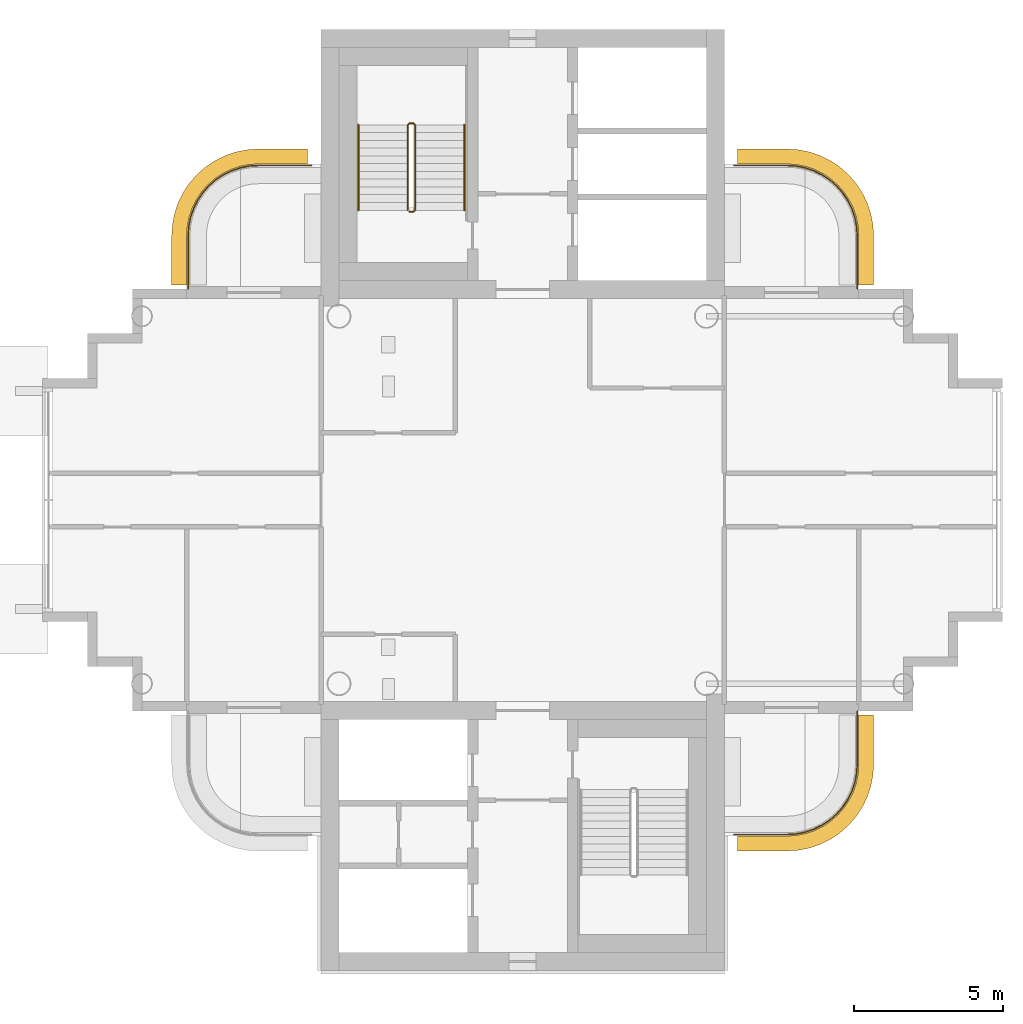
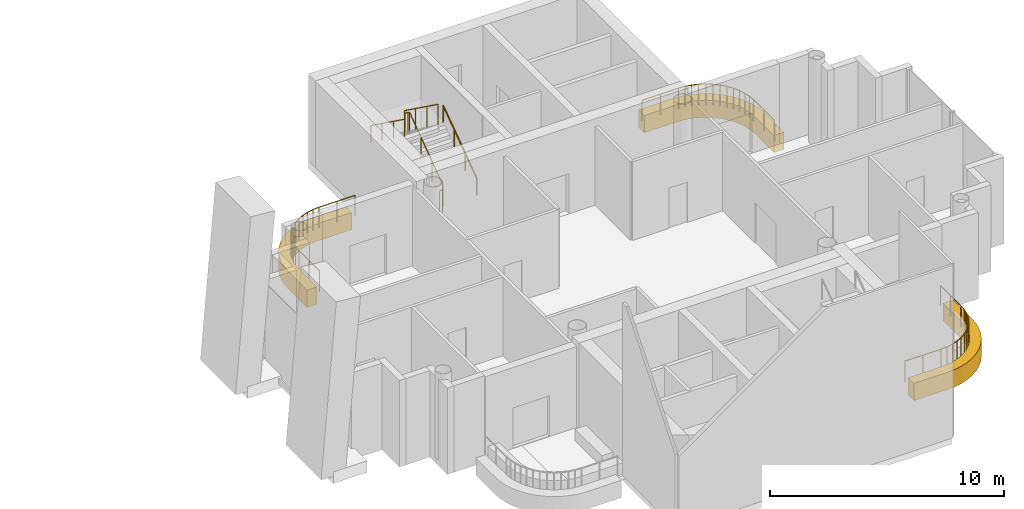
# One storey, part 18 of 19: 6 railings, 3 coverings.
"""IFC4 building model written with IfcOpenShell, lengths in metres."""

from ifc_helpers import new_model, si_unit, direction, frame, origin, origin_2d, place, context, subcontext, project, spatial, polyline, circle, outline, extrude, material, layer, layer_set, type_object, element, save


model = new_model("IFC4")

# Units and contexts
model_context = context("Model", 3, precision=1e-05, world=origin(), true_north=direction((0.0, 1.0)))
body_context = subcontext(model_context, "Body", "Model", "MODEL_VIEW")
ifc_project = project(units=[si_unit("LENGTHUNIT", "METRE"), si_unit("AREAUNIT", "SQUARE_METRE"), si_unit("VOLUMEUNIT", "CUBIC_METRE"), si_unit("PLANEANGLEUNIT", "RADIAN"), si_unit("MASSUNIT", "GRAM", prefix="KILO")], contexts=[model_context])

# Site, building, storey
site_placement = place(None, origin())
site = spatial("IfcSite", under=ifc_project, at=site_placement, CompositionType="ELEMENT")
building_placement = place(site_placement, origin())
building = spatial("IfcBuilding", under=site, at=building_placement, Name="Ipe Terrace Towers", CompositionType="ELEMENT")
storey_placement = place(building_placement, frame((0.0, 0.0, 237.89990234375)))
storey = spatial("IfcBuildingStorey", under=building, at=storey_placement, Name="L66", CompositionType="ELEMENT", Elevation=237.89990234375)

# Railings
ifc_material_1 = material(Name="Stainless steel S316", Category="steel")
railing_type_1 = type_object("IfcRailingType", Name="GUARD 1100", PredefinedType="BALUSTRADE", material=ifc_material_1)
railing_1_placement = place(storey_placement, frame((28.929931640625, 11.199951171875, -0.02001953125)))
element("IfcRailing", 1, at=railing_1_placement, inside=storey, type_object=railing_type_1, Name="guard", PredefinedType="BALUSTRADE", context=body_context, shape_type="SweptSolid", body=[
    extrude(circle(Radius=0.02392578125, at=origin_2d()), frame((0.0, 0.0, 1.076171875), z_axis=(-1.0, 0.0, 0.0), x_axis=(0.0, -1.0, 0.0)), (0.0, 0.0, 1.0), 1.77783203125),
    extrude(circle(Radius=0.02392578125, at=origin_2d()), frame((-1.77783203125, 0.0, 1.076171875), z_axis=(-0.99790894031, -0.064635492184, 0.0), x_axis=(0.064635492184, -0.99790894031, 0.0)), (0.0, 0.0, 1.0), 0.309814453125),
    extrude(circle(Radius=0.02392578125, at=origin_2d()), frame((-2.0869140625, -0.02001953125, 1.076171875), z_axis=(-0.980824674538, -0.194892169718, 0.0), x_axis=(0.194892169718, -0.980824674538, 0.0)), (0.0, 0.0, 1.0), 0.306884765625),
    extrude(circle(Radius=0.02392578125, at=origin_2d()), frame((-2.387939453125, -0.079833984375, 1.076171875), z_axis=(-0.946598348228, -0.322415209212, 0.0), x_axis=(0.322415209212, -0.946598348228, 0.0)), (0.0, 0.0, 1.0), 0.307373046875),
    extrude(circle(Radius=0.02392578125, at=origin_2d()), frame((-2.678955078125, -0.178955078125, 1.076171875), z_axis=(-0.896952807524, -0.44212629539, 0.0), x_axis=(0.44212629539, -0.896952807524, 0.0)), (0.0, 0.0, 1.0), 0.3076171875),
    extrude(circle(Radius=0.02392578125, at=origin_2d()), frame((-2.954833984375, -0.31494140625, 1.076171875), z_axis=(-0.831806228742, -0.555066120228, 0.0), x_axis=(0.555066120228, -0.831806228742, 0.0)), (0.0, 0.0, 1.0), 0.307861328125),
    extrude(circle(Radius=0.02392578125, at=origin_2d()), frame((-3.2109375, -0.48583984375, 1.076171875), z_axis=(-0.752478137252, -0.658617227954, 0.0), x_axis=(0.658617227954, -0.752478137252, 0.0)), (0.0, 0.0, 1.0), 0.306884765625),
    extrude(circle(Radius=0.02392578125, at=origin_2d()), frame((-3.44189453125, -0.68798828125, 1.076171875), z_axis=(-0.658617227954, -0.752478137252, 0.0), x_axis=(0.752478137252, -0.658617227954, 0.0)), (0.0, 0.0, 1.0), 0.306884765625),
    extrude(circle(Radius=0.02392578125, at=origin_2d()), frame((-3.64404296875, -0.9189453125, 1.076171875), z_axis=(-0.555066120228, -0.831806228742, 0.0), x_axis=(0.831806228742, -0.555066120228, 0.0)), (0.0, 0.0, 1.0), 0.307861328125),
    extrude(circle(Radius=0.02392578125, at=origin_2d()), frame((-3.81494140625, -1.175048828125, 1.076171875), z_axis=(-0.44212629539, -0.896952807524, 0.0), x_axis=(0.896952807524, -0.44212629539, 0.0)), (0.0, 0.0, 1.0), 0.3076171875),
    extrude(circle(Radius=0.02392578125, at=origin_2d()), frame((-3.950927734375, -1.450927734375, 1.076171875), z_axis=(-0.322415209212, -0.946598348228, 0.0), x_axis=(0.946598348228, -0.322415209212, 0.0)), (0.0, 0.0, 1.0), 0.307373046875),
    extrude(circle(Radius=0.02392578125, at=origin_2d()), frame((-4.050048828125, -1.741943359375, 1.076171875), z_axis=(-0.194892169718, -0.980824674538, 0.0), x_axis=(0.980824674538, -0.194892169718, 0.0)), (0.0, 0.0, 1.0), 0.306884765625),
    extrude(circle(Radius=0.02392578125, at=origin_2d()), frame((-4.10986328125, -2.04296875, 1.076171875), z_axis=(-0.064635492184, -0.99790894031, 0.0), x_axis=(0.99790894031, -0.064635492184, 0.0)), (0.0, 0.0, 1.0), 0.309814453125),
    extrude(circle(Radius=0.02392578125, at=origin_2d()), frame((-4.1298828125, -2.35205078125, 1.076171875), z_axis=(0.0, -1.0, 0.0), x_axis=(1.0, 0.0, 0.0)), (0.0, 0.0, 1.0), 1.77783203125),
    extrude(circle(Radius=0.02099609375, at=origin_2d()), origin(), (0.0, 0.0, 1.0), 1.052001953125),
    extrude(circle(Radius=0.02099609375, at=origin_2d()), frame((-0.888916015625, 0.0, 0.0)), (0.0, 0.0, 1.0), 1.052001953125),
    extrude(circle(Radius=0.02099609375, at=origin_2d()), frame((-1.77783203125, 0.0, 0.0)), (0.0, 0.0, 1.0), 1.052001953125),
    extrude(circle(Radius=0.02099609375, at=origin_2d()), frame((-2.0869140625, -0.02001953125, 0.0)), (0.0, 0.0, 1.0), 1.052001953125),
    extrude(circle(Radius=0.02099609375, at=origin_2d()), frame((-2.387939453125, -0.079833984375, 0.0)), (0.0, 0.0, 1.0), 1.052001953125),
    extrude(circle(Radius=0.02099609375, at=origin_2d()), frame((-2.678955078125, -0.178955078125, 0.0)), (0.0, 0.0, 1.0), 1.052001953125),
    extrude(circle(Radius=0.02099609375, at=origin_2d()), frame((-2.954833984375, -0.31494140625, 0.0)), (0.0, 0.0, 1.0), 1.052001953125),
    extrude(circle(Radius=0.02099609375, at=origin_2d()), frame((-3.2109375, -0.48583984375, 0.0)), (0.0, 0.0, 1.0), 1.052001953125),
    extrude(circle(Radius=0.02099609375, at=origin_2d()), frame((-3.44189453125, -0.68798828125, 0.0)), (0.0, 0.0, 1.0), 1.052001953125),
    extrude(circle(Radius=0.02099609375, at=origin_2d()), frame((-3.64404296875, -0.9189453125, 0.0)), (0.0, 0.0, 1.0), 1.052001953125),
    extrude(circle(Radius=0.02099609375, at=origin_2d()), frame((-3.81494140625, -1.175048828125, 0.0)), (0.0, 0.0, 1.0), 1.052001953125),
    extrude(circle(Radius=0.02099609375, at=origin_2d()), frame((-3.950927734375, -1.450927734375, 0.0)), (0.0, 0.0, 1.0), 1.052001953125),
    extrude(circle(Radius=0.02099609375, at=origin_2d()), frame((-4.050048828125, -1.741943359375, 0.0)), (0.0, 0.0, 1.0), 1.052001953125),
    extrude(circle(Radius=0.02099609375, at=origin_2d()), frame((-4.10986328125, -2.04296875, 0.0)), (0.0, 0.0, 1.0), 1.052001953125),
    extrude(circle(Radius=0.02099609375, at=origin_2d()), frame((-4.1298828125, -2.35205078125, 0.0)), (0.0, 0.0, 1.0), 1.052001953125),
    extrude(circle(Radius=0.02099609375, at=origin_2d()), frame((-4.1298828125, -3.240966796875, 0.0)), (0.0, 0.0, 1.0), 1.052001953125),
    extrude(circle(Radius=0.02099609375, at=origin_2d()), frame((-4.1298828125, -4.1298828125, 0.0)), (0.0, 0.0, 1.0), 1.052001953125),
])
railing_2_placement = place(storey_placement, frame((43.070068359375, -11.199951171875, -0.02001953125)))
element("IfcRailing", 2, at=railing_2_placement, inside=storey, type_object=railing_type_1, Name="guard", PredefinedType="BALUSTRADE", context=body_context, shape_type="SweptSolid", body=[
    extrude(circle(Radius=0.02392578125, at=origin_2d()), frame((0.0, 0.0, 1.076171875), z_axis=(1.0, 0.0, 0.0), x_axis=(0.0, 1.0, 0.0)), (0.0, 0.0, 1.0), 1.77783203125),
    extrude(circle(Radius=0.02392578125, at=origin_2d()), frame((1.77783203125, 0.0, 1.076171875), z_axis=(0.99790894031, 0.064635492184, 0.0), x_axis=(-0.064635492184, 0.99790894031, 0.0)), (0.0, 0.0, 1.0), 0.309814453125),
    extrude(circle(Radius=0.02392578125, at=origin_2d()), frame((2.0869140625, 0.02001953125, 1.076171875), z_axis=(0.980824674538, 0.194892169718, 0.0), x_axis=(-0.194892169718, 0.980824674538, 0.0)), (0.0, 0.0, 1.0), 0.306884765625),
    extrude(circle(Radius=0.02392578125, at=origin_2d()), frame((2.387939453125, 0.079833984375, 1.076171875), z_axis=(0.946598348228, 0.322415209212, 0.0), x_axis=(-0.322415209212, 0.946598348228, 0.0)), (0.0, 0.0, 1.0), 0.307373046875),
    extrude(circle(Radius=0.02392578125, at=origin_2d()), frame((2.678955078125, 0.178955078125, 1.076171875), z_axis=(0.896952807524, 0.44212629539, 0.0), x_axis=(-0.44212629539, 0.896952807524, 0.0)), (0.0, 0.0, 1.0), 0.3076171875),
    extrude(circle(Radius=0.02392578125, at=origin_2d()), frame((2.954833984375, 0.31494140625, 1.076171875), z_axis=(0.831806228742, 0.555066120228, 0.0), x_axis=(-0.555066120228, 0.831806228742, 0.0)), (0.0, 0.0, 1.0), 0.307861328125),
    extrude(circle(Radius=0.02392578125, at=origin_2d()), frame((3.2109375, 0.48583984375, 1.076171875), z_axis=(0.752478137252, 0.658617227954, 0.0), x_axis=(-0.658617227954, 0.752478137252, 0.0)), (0.0, 0.0, 1.0), 0.306884765625),
    extrude(circle(Radius=0.02392578125, at=origin_2d()), frame((3.44189453125, 0.68798828125, 1.076171875), z_axis=(0.658617227954, 0.752478137252, 0.0), x_axis=(-0.752478137252, 0.658617227954, 0.0)), (0.0, 0.0, 1.0), 0.306884765625),
    extrude(circle(Radius=0.02392578125, at=origin_2d()), frame((3.64404296875, 0.9189453125, 1.076171875), z_axis=(0.555066120228, 0.831806228742, 0.0), x_axis=(-0.831806228742, 0.555066120228, 0.0)), (0.0, 0.0, 1.0), 0.307861328125),
    extrude(circle(Radius=0.02392578125, at=origin_2d()), frame((3.81494140625, 1.175048828125, 1.076171875), z_axis=(0.44212629539, 0.896952807524, 0.0), x_axis=(-0.896952807524, 0.44212629539, 0.0)), (0.0, 0.0, 1.0), 0.3076171875),
    extrude(circle(Radius=0.02392578125, at=origin_2d()), frame((3.950927734375, 1.450927734375, 1.076171875), z_axis=(0.322415209212, 0.946598348228, 0.0), x_axis=(-0.946598348228, 0.322415209212, 0.0)), (0.0, 0.0, 1.0), 0.307373046875),
    extrude(circle(Radius=0.02392578125, at=origin_2d()), frame((4.050048828125, 1.741943359375, 1.076171875), z_axis=(0.194892169718, 0.980824674538, 0.0), x_axis=(-0.980824674538, 0.194892169718, 0.0)), (0.0, 0.0, 1.0), 0.306884765625),
    extrude(circle(Radius=0.02392578125, at=origin_2d()), frame((4.10986328125, 2.04296875, 1.076171875), z_axis=(0.064635492184, 0.99790894031, 0.0), x_axis=(-0.99790894031, 0.064635492184, 0.0)), (0.0, 0.0, 1.0), 0.309814453125),
    extrude(circle(Radius=0.02392578125, at=origin_2d()), frame((4.1298828125, 2.35205078125, 1.076171875), z_axis=(0.0, 1.0, 0.0), x_axis=(-1.0, 0.0, 0.0)), (0.0, 0.0, 1.0), 1.77783203125),
    extrude(circle(Radius=0.02099609375, at=origin_2d()), origin(), (0.0, 0.0, 1.0), 1.052001953125),
    extrude(circle(Radius=0.02099609375, at=origin_2d()), frame((0.888916015625, 0.0, 0.0)), (0.0, 0.0, 1.0), 1.052001953125),
    extrude(circle(Radius=0.02099609375, at=origin_2d()), frame((1.77783203125, 0.0, 0.0)), (0.0, 0.0, 1.0), 1.052001953125),
    extrude(circle(Radius=0.02099609375, at=origin_2d()), frame((2.0869140625, 0.02001953125, 0.0)), (0.0, 0.0, 1.0), 1.052001953125),
    extrude(circle(Radius=0.02099609375, at=origin_2d()), frame((2.387939453125, 0.079833984375, 0.0)), (0.0, 0.0, 1.0), 1.052001953125),
    extrude(circle(Radius=0.02099609375, at=origin_2d()), frame((2.678955078125, 0.178955078125, 0.0)), (0.0, 0.0, 1.0), 1.052001953125),
    extrude(circle(Radius=0.02099609375, at=origin_2d()), frame((2.954833984375, 0.31494140625, 0.0)), (0.0, 0.0, 1.0), 1.052001953125),
    extrude(circle(Radius=0.02099609375, at=origin_2d()), frame((3.2109375, 0.48583984375, 0.0)), (0.0, 0.0, 1.0), 1.052001953125),
    extrude(circle(Radius=0.02099609375, at=origin_2d()), frame((3.44189453125, 0.68798828125, 0.0)), (0.0, 0.0, 1.0), 1.052001953125),
    extrude(circle(Radius=0.02099609375, at=origin_2d()), frame((3.64404296875, 0.9189453125, 0.0)), (0.0, 0.0, 1.0), 1.052001953125),
    extrude(circle(Radius=0.02099609375, at=origin_2d()), frame((3.81494140625, 1.175048828125, 0.0)), (0.0, 0.0, 1.0), 1.052001953125),
    extrude(circle(Radius=0.02099609375, at=origin_2d()), frame((3.950927734375, 1.450927734375, 0.0)), (0.0, 0.0, 1.0), 1.052001953125),
    extrude(circle(Radius=0.02099609375, at=origin_2d()), frame((4.050048828125, 1.741943359375, 0.0)), (0.0, 0.0, 1.0), 1.052001953125),
    extrude(circle(Radius=0.02099609375, at=origin_2d()), frame((4.10986328125, 2.04296875, 0.0)), (0.0, 0.0, 1.0), 1.052001953125),
    extrude(circle(Radius=0.02099609375, at=origin_2d()), frame((4.1298828125, 2.35205078125, 0.0)), (0.0, 0.0, 1.0), 1.052001953125),
    extrude(circle(Radius=0.02099609375, at=origin_2d()), frame((4.1298828125, 3.240966796875, 0.0)), (0.0, 0.0, 1.0), 1.052001953125),
    extrude(circle(Radius=0.02099609375, at=origin_2d()), frame((4.1298828125, 4.1298828125, 0.0)), (0.0, 0.0, 1.0), 1.052001953125),
])
railing_3_placement = place(storey_placement, frame((47.199951171875, 7.070068359375, -0.02001953125)))
element("IfcRailing", 3, at=railing_3_placement, inside=storey, type_object=railing_type_1, Name="guard", PredefinedType="BALUSTRADE", context=body_context, shape_type="SweptSolid", body=[
    extrude(circle(Radius=0.02392578125, at=origin_2d()), frame((0.0, 0.0, 1.076171875), z_axis=(0.0, 1.0, 0.0), x_axis=(-1.0, 0.0, 0.0)), (0.0, 0.0, 1.0), 1.77783203125),
    extrude(circle(Radius=0.02392578125, at=origin_2d()), frame((0.0, 1.77783203125, 1.076171875), z_axis=(-0.064635492184, 0.99790894031, 0.0), x_axis=(-0.99790894031, -0.064635492184, 0.0)), (0.0, 0.0, 1.0), 0.309814453125),
    extrude(circle(Radius=0.02392578125, at=origin_2d()), frame((-0.02001953125, 2.0869140625, 1.076171875), z_axis=(-0.194892169718, 0.980824674538, 0.0), x_axis=(-0.980824674538, -0.194892169718, 0.0)), (0.0, 0.0, 1.0), 0.306884765625),
    extrude(circle(Radius=0.02392578125, at=origin_2d()), frame((-0.079833984375, 2.387939453125, 1.076171875), z_axis=(-0.322415209212, 0.946598348228, 0.0), x_axis=(-0.946598348228, -0.322415209212, 0.0)), (0.0, 0.0, 1.0), 0.307373046875),
    extrude(circle(Radius=0.02392578125, at=origin_2d()), frame((-0.178955078125, 2.678955078125, 1.076171875), z_axis=(-0.44212629539, 0.896952807524, 0.0), x_axis=(-0.896952807524, -0.44212629539, 0.0)), (0.0, 0.0, 1.0), 0.3076171875),
    extrude(circle(Radius=0.02392578125, at=origin_2d()), frame((-0.31494140625, 2.954833984375, 1.076171875), z_axis=(-0.555066120228, 0.831806228742, 0.0), x_axis=(-0.831806228742, -0.555066120228, 0.0)), (0.0, 0.0, 1.0), 0.307861328125),
    extrude(circle(Radius=0.02392578125, at=origin_2d()), frame((-0.48583984375, 3.2109375, 1.076171875), z_axis=(-0.658617227954, 0.752478137252, 0.0), x_axis=(-0.752478137252, -0.658617227954, 0.0)), (0.0, 0.0, 1.0), 0.306884765625),
    extrude(circle(Radius=0.02392578125, at=origin_2d()), frame((-0.68798828125, 3.44189453125, 1.076171875), z_axis=(-0.752478137252, 0.658617227954, 0.0), x_axis=(-0.658617227954, -0.752478137252, 0.0)), (0.0, 0.0, 1.0), 0.306884765625),
    extrude(circle(Radius=0.02392578125, at=origin_2d()), frame((-0.9189453125, 3.64404296875, 1.076171875), z_axis=(-0.831806228742, 0.555066120228, 0.0), x_axis=(-0.555066120228, -0.831806228742, 0.0)), (0.0, 0.0, 1.0), 0.307861328125),
    extrude(circle(Radius=0.02392578125, at=origin_2d()), frame((-1.175048828125, 3.81494140625, 1.076171875), z_axis=(-0.896952807524, 0.44212629539, 0.0), x_axis=(-0.44212629539, -0.896952807524, 0.0)), (0.0, 0.0, 1.0), 0.3076171875),
    extrude(circle(Radius=0.02392578125, at=origin_2d()), frame((-1.450927734375, 3.950927734375, 1.076171875), z_axis=(-0.946598348228, 0.322415209212, 0.0), x_axis=(-0.322415209212, -0.946598348228, 0.0)), (0.0, 0.0, 1.0), 0.307373046875),
    extrude(circle(Radius=0.02392578125, at=origin_2d()), frame((-1.741943359375, 4.050048828125, 1.076171875), z_axis=(-0.980824674538, 0.194892169718, 0.0), x_axis=(-0.194892169718, -0.980824674538, 0.0)), (0.0, 0.0, 1.0), 0.306884765625),
    extrude(circle(Radius=0.02392578125, at=origin_2d()), frame((-2.04296875, 4.10986328125, 1.076171875), z_axis=(-0.99790894031, 0.064635492184, 0.0), x_axis=(-0.064635492184, -0.99790894031, 0.0)), (0.0, 0.0, 1.0), 0.309814453125),
    extrude(circle(Radius=0.02392578125, at=origin_2d()), frame((-2.35205078125, 4.1298828125, 1.076171875), z_axis=(-1.0, 0.0, 0.0), x_axis=(0.0, -1.0, 0.0)), (0.0, 0.0, 1.0), 1.77783203125),
    extrude(circle(Radius=0.02099609375, at=origin_2d()), origin(), (0.0, 0.0, 1.0), 1.052001953125),
    extrude(circle(Radius=0.02099609375, at=origin_2d()), frame((0.0, 0.888916015625, 0.0)), (0.0, 0.0, 1.0), 1.052001953125),
    extrude(circle(Radius=0.02099609375, at=origin_2d()), frame((0.0, 1.77783203125, 0.0)), (0.0, 0.0, 1.0), 1.052001953125),
    extrude(circle(Radius=0.02099609375, at=origin_2d()), frame((-0.02001953125, 2.0869140625, 0.0)), (0.0, 0.0, 1.0), 1.052001953125),
    extrude(circle(Radius=0.02099609375, at=origin_2d()), frame((-0.079833984375, 2.387939453125, 0.0)), (0.0, 0.0, 1.0), 1.052001953125),
    extrude(circle(Radius=0.02099609375, at=origin_2d()), frame((-0.178955078125, 2.678955078125, 0.0)), (0.0, 0.0, 1.0), 1.052001953125),
    extrude(circle(Radius=0.02099609375, at=origin_2d()), frame((-0.31494140625, 2.954833984375, 0.0)), (0.0, 0.0, 1.0), 1.052001953125),
    extrude(circle(Radius=0.02099609375, at=origin_2d()), frame((-0.48583984375, 3.2109375, 0.0)), (0.0, 0.0, 1.0), 1.052001953125),
    extrude(circle(Radius=0.02099609375, at=origin_2d()), frame((-0.68798828125, 3.44189453125, 0.0)), (0.0, 0.0, 1.0), 1.052001953125),
    extrude(circle(Radius=0.02099609375, at=origin_2d()), frame((-0.9189453125, 3.64404296875, 0.0)), (0.0, 0.0, 1.0), 1.052001953125),
    extrude(circle(Radius=0.02099609375, at=origin_2d()), frame((-1.175048828125, 3.81494140625, 0.0)), (0.0, 0.0, 1.0), 1.052001953125),
    extrude(circle(Radius=0.02099609375, at=origin_2d()), frame((-1.450927734375, 3.950927734375, 0.0)), (0.0, 0.0, 1.0), 1.052001953125),
    extrude(circle(Radius=0.02099609375, at=origin_2d()), frame((-1.741943359375, 4.050048828125, 0.0)), (0.0, 0.0, 1.0), 1.052001953125),
    extrude(circle(Radius=0.02099609375, at=origin_2d()), frame((-2.04296875, 4.10986328125, 0.0)), (0.0, 0.0, 1.0), 1.052001953125),
    extrude(circle(Radius=0.02099609375, at=origin_2d()), frame((-2.35205078125, 4.1298828125, 0.0)), (0.0, 0.0, 1.0), 1.052001953125),
    extrude(circle(Radius=0.02099609375, at=origin_2d()), frame((-3.240966796875, 4.1298828125, 0.0)), (0.0, 0.0, 1.0), 1.052001953125),
    extrude(circle(Radius=0.02099609375, at=origin_2d()), frame((-4.1298828125, 4.1298828125, 0.0)), (0.0, 0.0, 1.0), 1.052001953125),
])

# Coverings
ifc_material_2 = material(Name="Concrete C50/60 precast, buff finish", Category="concrete")
ifc_layer = layer(ifc_material_2, 0.5)
ifc_layer_set = layer_set([ifc_layer], Name="STONE EDGE BAND 500 x 900")
covering_type = type_object("IfcCoveringType", Name="STONE EDGE BAND 500 x 900", PredefinedType="CLADDING", material=ifc_layer_set)
covering_1_placement = place(storey_placement, frame((0.0, 0.0, -0.719970703125)))
element("IfcCovering", 4, at=covering_1_placement, inside=storey, type_object=covering_type, Name="stone edge band", PredefinedType="CLADDING", context=body_context, shape_type="SweptSolid", body=[
    extrude(outline(polyline([(24.25, 8.85009765625), (24.25, 7.199951171875), (24.75, 7.199951171875), (24.75, 8.85009765625), (24.77099609375, 9.1630859375), (24.83203125, 9.470947265625), (24.93310546875, 9.76806640625), (25.072021484375, 10.050048828125), (25.24609375, 10.31103515625), (25.452880859375, 10.547119140625), (25.68896484375, 10.75390625), (25.949951171875, 10.927978515625), (26.23193359375, 11.06689453125), (26.529052734375, 11.16796875), (26.8369140625, 11.22900390625), (27.14990234375, 11.25), (28.800048828125, 11.25), (28.800048828125, 11.75), (27.14990234375, 11.75), (27.116943359375, 11.7490234375), (26.803955078125, 11.72802734375), (26.739013671875, 11.719970703125), (26.430908203125, 11.658935546875), (26.367919921875, 11.64208984375), (26.071044921875, 11.541015625), (26.010009765625, 11.51611328125), (25.72900390625, 11.376953125), (25.672119140625, 11.343994140625), (25.410888671875, 11.169921875), (25.35888671875, 11.1298828125), (25.123046875, 10.923095703125), (25.076904296875, 10.876953125), (24.8701171875, 10.64111328125), (24.830078125, 10.589111328125), (24.656005859375, 10.327880859375), (24.623046875, 10.27099609375), (24.48388671875, 9.989990234375), (24.458984375, 9.928955078125), (24.35791015625, 9.632080078125), (24.341064453125, 9.569091796875), (24.280029296875, 9.260986328125), (24.27197265625, 9.196044921875), (24.2509765625, 8.883056640625), (24.25, 8.85009765625)])), origin(), (0.0, 0.0, 1.0), 0.900146484375),
])
covering_2_placement = place(storey_placement, frame((0.0, 0.0, -0.719970703125)))
element("IfcCovering", 5, at=covering_2_placement, inside=storey, type_object=covering_type, Name="stone edge band", PredefinedType="CLADDING", context=body_context, shape_type="SweptSolid", body=[
    extrude(outline(polyline([(47.75, -8.85009765625), (47.75, -7.199951171875), (47.25, -7.199951171875), (47.25, -8.85009765625), (47.22900390625, -9.1630859375), (47.16796875, -9.470947265625), (47.06689453125, -9.76806640625), (46.927978515625, -10.050048828125), (46.75390625, -10.31103515625), (46.547119140625, -10.547119140625), (46.31103515625, -10.75390625), (46.050048828125, -10.927978515625), (45.76806640625, -11.06689453125), (45.470947265625, -11.16796875), (45.1630859375, -11.22900390625), (44.85009765625, -11.25), (43.199951171875, -11.25), (43.199951171875, -11.75), (44.85009765625, -11.75), (44.883056640625, -11.7490234375), (45.196044921875, -11.72802734375), (45.260986328125, -11.719970703125), (45.569091796875, -11.658935546875), (45.632080078125, -11.64208984375), (45.928955078125, -11.541015625), (45.989990234375, -11.51611328125), (46.27099609375, -11.376953125), (46.327880859375, -11.343994140625), (46.589111328125, -11.169921875), (46.64111328125, -11.1298828125), (46.876953125, -10.923095703125), (46.923095703125, -10.876953125), (47.1298828125, -10.64111328125), (47.169921875, -10.589111328125), (47.343994140625, -10.327880859375), (47.376953125, -10.27099609375), (47.51611328125, -9.989990234375), (47.541015625, -9.928955078125), (47.64208984375, -9.632080078125), (47.658935546875, -9.569091796875), (47.719970703125, -9.260986328125), (47.72802734375, -9.196044921875), (47.7490234375, -8.883056640625), (47.75, -8.85009765625)])), origin(), (0.0, 0.0, 1.0), 0.900146484375),
])
covering_3_placement = place(storey_placement, frame((0.0, 0.0, -0.719970703125)))
element("IfcCovering", 6, at=covering_3_placement, inside=storey, type_object=covering_type, Name="stone edge band", PredefinedType="CLADDING", context=body_context, shape_type="SweptSolid", body=[
    extrude(outline(polyline([(47.75, 8.85009765625), (47.7490234375, 8.883056640625), (47.72802734375, 9.196044921875), (47.719970703125, 9.260986328125), (47.658935546875, 9.569091796875), (47.64208984375, 9.632080078125), (47.541015625, 9.928955078125), (47.51611328125, 9.989990234375), (47.376953125, 10.27099609375), (47.343994140625, 10.327880859375), (47.169921875, 10.589111328125), (47.1298828125, 10.64111328125), (46.923095703125, 10.876953125), (46.876953125, 10.923095703125), (46.64111328125, 11.1298828125), (46.589111328125, 11.169921875), (46.327880859375, 11.343994140625), (46.27099609375, 11.376953125), (45.989990234375, 11.51611328125), (45.928955078125, 11.541015625), (45.632080078125, 11.64208984375), (45.569091796875, 11.658935546875), (45.260986328125, 11.719970703125), (45.196044921875, 11.72802734375), (44.883056640625, 11.7490234375), (44.85009765625, 11.75), (43.199951171875, 11.75), (43.199951171875, 11.25), (44.85009765625, 11.25), (45.1630859375, 11.22900390625), (45.470947265625, 11.16796875), (45.76806640625, 11.06689453125), (46.050048828125, 10.927978515625), (46.31103515625, 10.75390625), (46.547119140625, 10.547119140625), (46.75390625, 10.31103515625), (46.927978515625, 10.050048828125), (47.06689453125, 9.76806640625), (47.16796875, 9.470947265625), (47.22900390625, 9.1630859375), (47.25, 8.85009765625), (47.25, 7.199951171875), (47.75, 7.199951171875), (47.75, 8.85009765625)])), origin(), (0.0, 0.0, 1.0), 0.900146484375),
])

# Railings
ifc_material_3 = material(Name="Steel S355", Category="steel")
railing_type_2 = type_object("IfcRailingType", Name="Stair guard 1100", PredefinedType="GUARDRAIL", material=ifc_material_3)
railing_4_placement = place(storey_placement, frame((32.199951171875, 9.64990234375, 0.0)))
element("IfcRailing", 7, at=railing_4_placement, inside=storey, type_object=railing_type_2, Name="L66 T2-ST1 stair guard 1", PredefinedType="GUARDRAIL", context=body_context, shape_type="SweptSolid", body=[
    extrude(circle(Radius=0.02392578125, at=origin_2d()), frame((0.0, 0.0, 1.076171875), z_axis=(1.0, 0.0, 0.0), x_axis=(0.0, 1.0, 0.0)), (0.0, 0.0, 1.0), 0.150146484375),
    extrude(circle(Radius=0.02392578125, at=origin_2d()), frame((0.150146484375, 0.0, 1.076171875), z_axis=(0.248583702486, 0.249802250048, 0.935844527007), x_axis=(-0.708833529934, 0.705375805398, 0.0)), (0.0, 0.0, 1.0), 0.200439453125),
    extrude(circle(Radius=0.02392578125, at=origin_2d()), frame((0.199951171875, 0.050048828125, 1.263671875), z_axis=(0.0, 0.811100754333, 0.584906459462), x_axis=(-1.0, 0.0, 0.0)), (0.0, 0.0, 1.0), 3.526123046875),
    extrude(circle(Radius=0.02392578125, at=origin_2d()), frame((0.199951171875, 2.91015625, 3.326171875), z_axis=(-0.705375805398, 0.708833529934, 0.0), x_axis=(-0.708833529934, -0.705375805398, 0.0)), (0.0, 0.0, 1.0), 0.070556640625),
    extrude(circle(Radius=0.02392578125, at=origin_2d()), frame((0.150146484375, 2.960205078125, 3.326171875), z_axis=(-1.0, 0.0, 0.0), x_axis=(0.0, -1.0, 0.0)), (0.0, 0.0, 1.0), 0.150146484375),
    extrude(circle(Radius=0.02392578125, at=origin_2d()), frame((0.0, 2.960205078125, 3.326171875), z_axis=(-0.249726431254, -0.249726431254, 0.935560483917), x_axis=(0.707106781187, -0.707106781187, 0.0)), (0.0, 0.0, 1.0), 0.200439453125),
    extrude(circle(Radius=0.02392578125, at=origin_2d()), frame((-0.050048828125, 2.91015625, 3.513671875), z_axis=(0.0, -0.811100754333, 0.584906459462), x_axis=(1.0, 0.0, 0.0)), (0.0, 0.0, 1.0), 3.526123046875),
    extrude(circle(Radius=0.02099609375, at=origin_2d()), origin(), (0.0, 0.0, 1.0), 1.052001953125),
    extrude(circle(Radius=0.02099609375, at=origin_2d()), frame((0.150146484375, 0.0, 0.0)), (0.0, 0.0, 1.0), 1.052001953125),
    extrude(circle(Radius=0.02099609375, at=origin_2d()), frame((0.199951171875, 0.050048828125, 0.1875)), (0.0, 0.0, 1.0), 1.052001953125),
    extrude(circle(Radius=0.02099609375, at=origin_2d()), frame((0.199951171875, 1.00341796875, 0.875)), (0.0, 0.0, 1.0), 1.052001953125),
    extrude(circle(Radius=0.02099609375, at=origin_2d()), frame((0.199951171875, 1.956787109375, 1.5625)), (0.0, 0.0, 1.0), 1.052001953125),
    extrude(circle(Radius=0.02099609375, at=origin_2d()), frame((0.199951171875, 2.91015625, 2.25)), (0.0, 0.0, 1.0), 1.052001953125),
    extrude(circle(Radius=0.02099609375, at=origin_2d()), frame((0.150146484375, 2.960205078125, 2.25)), (0.0, 0.0, 1.0), 1.052001953125),
    extrude(circle(Radius=0.02099609375, at=origin_2d()), frame((0.0, 2.960205078125, 2.25)), (0.0, 0.0, 1.0), 1.052001953125),
    extrude(circle(Radius=0.02099609375, at=origin_2d()), frame((-0.050048828125, 2.91015625, 2.4375)), (0.0, 0.0, 1.0), 1.052001953125),
    extrude(circle(Radius=0.02099609375, at=origin_2d()), frame((-0.050048828125, 1.956787109375, 3.125)), (0.0, 0.0, 1.0), 1.052001953125),
    extrude(circle(Radius=0.02099609375, at=origin_2d()), frame((-0.050048828125, 1.00341796875, 3.8125)), (0.0, 0.0, 1.0), 1.052001953125),
    extrude(circle(Radius=0.02099609375, at=origin_2d()), frame((-0.050048828125, 0.050048828125, 4.5)), (0.0, 0.0, 1.0), 1.052001953125),
])
ifc_material_4 = material(Name="Stainless steel grade 304", Category="steel")
railing_type_3 = type_object("IfcRailingType", Name="Stair handrail 900", PredefinedType="HANDRAIL", material=ifc_material_4)
railing_5_placement = place(storey_placement, frame((34.050048828125, 9.699951171875, 0.1875)))
element("IfcRailing", 8, at=railing_5_placement, inside=storey, type_object=railing_type_3, Name="L66 T2-ST1 stair handrail 1", PredefinedType="HANDRAIL", context=body_context, shape_type="SweptSolid", body=[
    extrude(circle(Radius=0.02392578125, at=origin_2d()), frame((0.0, 0.0, 0.8759765625), z_axis=(0.0, 0.811100754333, 0.584906459462), x_axis=(-1.0, 0.0, 0.0)), (0.0, 0.0, 1.0), 3.526123046875),
    extrude(circle(Radius=0.02099609375, at=origin_2d()), origin(), (0.0, 0.0, 1.0), 0.851806640625),
    extrude(circle(Radius=0.02099609375, at=origin_2d()), frame((0.0, 0.953369140625, 0.6875)), (0.0, 0.0, 1.0), 0.851806640625),
    extrude(circle(Radius=0.02099609375, at=origin_2d()), frame((0.0, 1.90673828125, 1.375)), (0.0, 0.0, 1.0), 0.851806640625),
    extrude(circle(Radius=0.02099609375, at=origin_2d()), frame((0.0, 2.860107421875, 2.0625)), (0.0, 0.0, 1.0), 0.851806640625),
])
railing_6_placement = place(storey_placement, frame((30.5, 12.56005859375, 2.4375)))
element("IfcRailing", 9, at=railing_6_placement, inside=storey, type_object=railing_type_3, Name="L66 T2-ST1 stair handrail 2", PredefinedType="HANDRAIL", context=body_context, shape_type="SweptSolid", body=[
    extrude(circle(Radius=0.02392578125, at=origin_2d()), frame((0.0, 0.0, 0.8759765625), z_axis=(0.0, -0.811100754333, 0.584906459462), x_axis=(1.0, 0.0, 0.0)), (0.0, 0.0, 1.0), 3.526123046875),
    extrude(circle(Radius=0.02099609375, at=origin_2d()), origin(), (0.0, 0.0, 1.0), 0.851806640625),
    extrude(circle(Radius=0.02099609375, at=origin_2d()), frame((0.0, -0.953369140625, 0.6875)), (0.0, 0.0, 1.0), 0.851806640625),
    extrude(circle(Radius=0.02099609375, at=origin_2d()), frame((0.0, -1.90673828125, 1.375)), (0.0, 0.0, 1.0), 0.851806640625),
    extrude(circle(Radius=0.02099609375, at=origin_2d()), frame((0.0, -2.860107421875, 2.0625)), (0.0, 0.0, 1.0), 0.851806640625),
])

save(model, "model.ifc")
